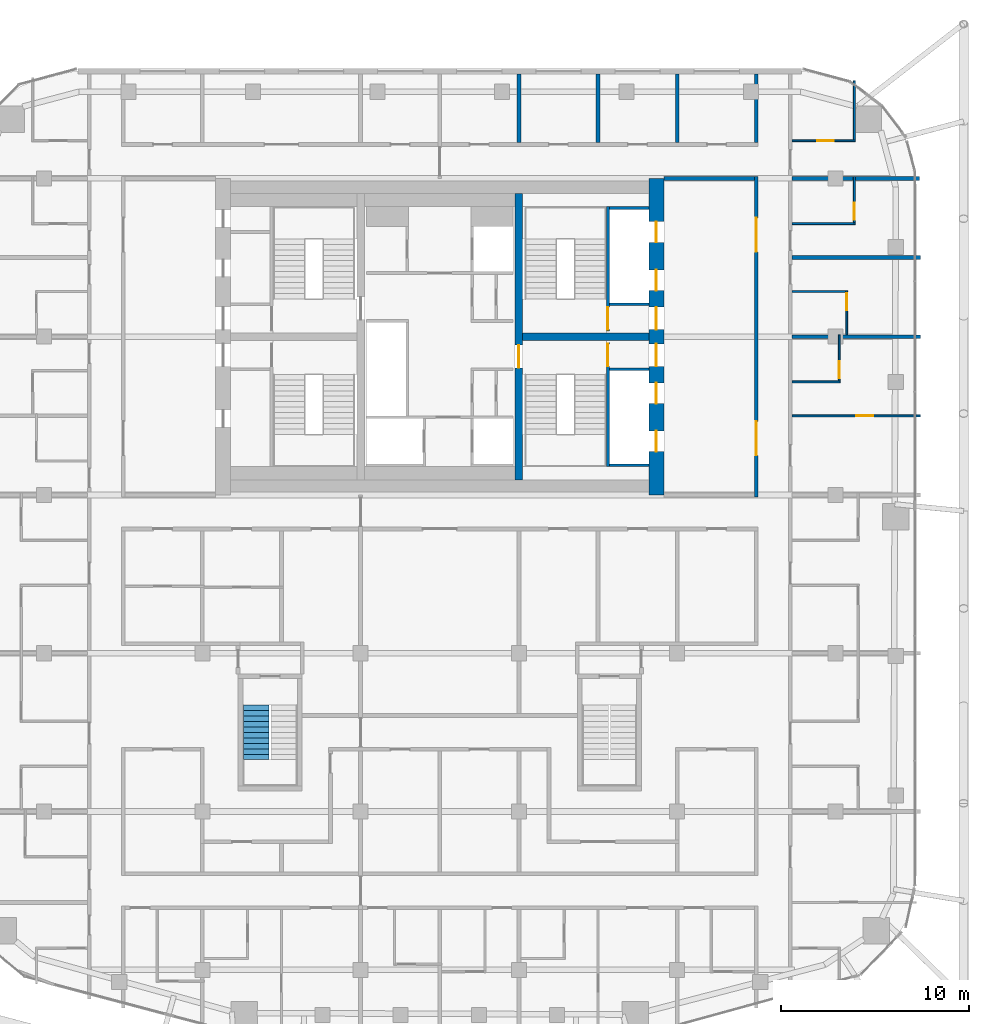
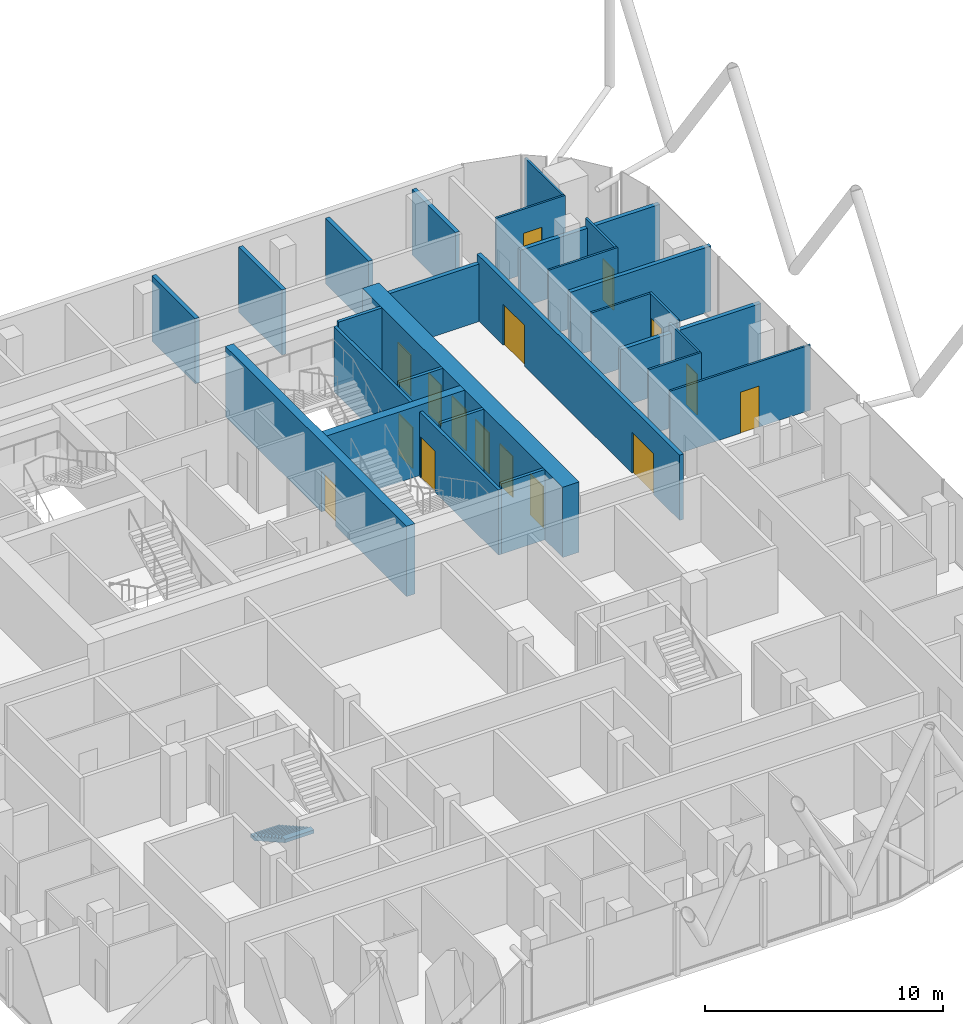
# One storey, part 29 of 31: 27 walls, 16 doors, 1 stair flight, 16 openings, 1 element without a shape of its own.
"""IFC4 building model written with IfcOpenShell, lengths in metres."""

from ifc_helpers import new_model, si_unit, direction, frame, frame_2d, origin, place, context, subcontext, project, spatial, polyline, rectangle, outline, extrude, material, layer, layer_set, type_object, element, fill, aggregate, save


model = new_model("IFC4")

# Units and contexts
model_context = context("Model", 3, precision=1e-05, world=origin(), true_north=direction((0.0, 1.0)))
body_context = subcontext(model_context, "Body", "Model", "MODEL_VIEW")
ifc_project = project(units=[si_unit("LENGTHUNIT", "METRE"), si_unit("AREAUNIT", "SQUARE_METRE"), si_unit("VOLUMEUNIT", "CUBIC_METRE"), si_unit("PLANEANGLEUNIT", "RADIAN"), si_unit("MASSUNIT", "GRAM", prefix="KILO")], contexts=[model_context])

# Site, building, storey
site_placement = place(None, origin())
site = spatial("IfcSite", under=ifc_project, at=site_placement, CompositionType="ELEMENT")
building_placement = place(site_placement, origin())
building = spatial("IfcBuilding", under=site, at=building_placement, Name="Marenta Gate Hotel Tower", CompositionType="ELEMENT")
storey_placement = place(building_placement, frame((0.0, 0.0, 234.5)))
storey = spatial("IfcBuildingStorey", under=building, at=storey_placement, Name="L55", CompositionType="ELEMENT", Elevation=234.5)

# Wall, openings, doors
ifc_material_1 = material(Name="Concrete blockwork", Category="masonry")
ifc_layer_1 = layer(ifc_material_1, 0.199951171875)
ifc_layer_set_1 = layer_set([ifc_layer_1], Name="Concrete blockwork")
wall_type_1 = type_object("IfcWallType", Name="Core boundary wall 200 REI 180", PredefinedType="PARTITIONING", material=ifc_layer_set_1)
wall_1_placement = place(storey_placement, frame((16.800048828125, -0.10009765625, 0.0), z_axis=(0.0, 0.0, 1.0), x_axis=(0.0, 1.0, 0.0)))
wall_1 = element("IfcWall", 1, at=wall_1_placement, inside=storey, type_object=wall_type_1, Name="L55-CP-BW-E", PredefinedType="PARTITIONING", context=body_context, shape_type="SweptSolid", body=[
    extrude(rectangle(XDim=17.0, YDim=0.199951171875, at=frame_2d((8.5, 0.0))), origin(), (0.0, 0.0, 1.0), 3.340087890625),
])
opening_1_placement = place(wall_1_placement, frame((2.199951171875, 0.0, 0.0)))
opening_1 = element("IfcOpeningElement", 2, at=opening_1_placement, cuts=wall_1, Name="Opening ED-Ea-B", PredefinedType="OPENING", context=body_context, shape_type="SweptSolid", body=[
    extrude(rectangle(XDim=1.800048828125, YDim=2.10009765625, at=frame_2d((0.89990234375, 1.050048828125))), frame((0.0, 0.10009765625, 0.0), z_axis=(0.0, -1.0, 0.0), x_axis=(1.0, 0.0, 0.0)), (0.0, 0.0, 1.0), 0.199951171875),
])
opening_2_placement = place(wall_1_placement, frame((13.0, 0.0, 0.0)))
opening_2 = element("IfcOpeningElement", 3, at=opening_2_placement, cuts=wall_1, Name="Opening ED-Eb-B", PredefinedType="OPENING", context=body_context, shape_type="SweptSolid", body=[
    extrude(rectangle(XDim=1.800048828125, YDim=2.10009765625, at=frame_2d((0.89990234375, 1.050048828125))), frame((0.0, 0.10009765625, 0.0), z_axis=(0.0, -1.0, 0.0), x_axis=(1.0, 0.0, 0.0)), (0.0, 0.0, 1.0), 0.199951171875),
])
ifc_material_2 = material(Name="Steel", Category="steel")
door_type_1 = type_object("IfcDoorType", Name="Core lobby entrance door 1800x2100 EI 60", OperationType="DOUBLE_DOOR_SINGLE_SWING", PredefinedType="DOOR", material=ifc_material_2)
door_1_placement = place(opening_1_placement, origin())
door_1 = element("IfcDoor", 4, at=door_1_placement, inside=storey, type_object=door_type_1, Name="ED-Ea-B", OperationType="DOUBLE_DOOR_SINGLE_SWING", OverallHeight=2.10009765625, OverallWidth=1.800048828125, PredefinedType="DOOR", context=body_context, shape_type="SweptSolid", body=[
    extrude(rectangle(XDim=1.800048828125, YDim=2.10009765625, at=frame_2d((0.89990234375, 1.050048828125))), frame((0.0, 0.02490234375, 0.0), z_axis=(0.0, -1.0, 0.0), x_axis=(1.0, 0.0, 0.0)), (0.0, 0.0, 1.0), 0.050048828125),
])
fill(opening_1, door_1)
door_2_placement = place(opening_2_placement, origin())
door_2 = element("IfcDoor", 5, at=door_2_placement, inside=storey, type_object=door_type_1, Name="ED-Eb-B", OperationType="DOUBLE_DOOR_SINGLE_SWING", OverallHeight=2.10009765625, OverallWidth=1.800048828125, PredefinedType="DOOR", context=body_context, shape_type="SweptSolid", body=[
    extrude(rectangle(XDim=1.800048828125, YDim=2.10009765625, at=frame_2d((0.89990234375, 1.050048828125))), frame((0.0, 0.02490234375, 0.0), z_axis=(0.0, -1.0, 0.0), x_axis=(1.0, 0.0, 0.0)), (0.0, 0.0, 1.0), 0.050048828125),
])
fill(opening_2, door_2)

# Walls
wall_2_placement = place(storey_placement, frame((11.89990234375, 16.800048828125, 0.0), z_axis=(0.0, 0.0, 1.0), x_axis=(1.0, 0.0, 0.0)))
element("IfcWall", 6, at=wall_2_placement, inside=storey, type_object=wall_type_1, Name="L55-CP-EW-EN", PredefinedType="PARTITIONING", context=body_context, shape_type="SweptSolid", body=[
    extrude(rectangle(XDim=4.800048828125, YDim=0.199951171875, at=frame_2d((2.39990234375, 0.0))), origin(), (0.0, 0.0, 1.0), 2.93994140625),
])
ifc_material_3 = material(Name="Concrete C40", Category="concrete")
ifc_layer_2 = layer(ifc_material_3, 0.14990234375)
ifc_layer_set_2 = layer_set([ifc_layer_2], Name="Concrete C40")
wall_type_2 = type_object("IfcWallType", Name="Core shaft wall 150 REI 180", PredefinedType="SHEAR", material=ifc_layer_set_2)
for number, where, z_axis, x_axis, name in (
    (7, (9.0, 6.675048828125, 0.0), (0.0, 0.0, 1.0), (1.0, 0.0, 0.0), "L55-SHF-SW-ES-2"),
    (8, (9.0, 1.574951171875, 0.0), (0.0, 0.0, 1.0), (1.0, 0.0, 0.0), "L55-SHF-SW-ES-5"),
    (9, (9.0, 10.125, 0.0), (0.0, 0.0, 1.0), (1.0, 0.0, 0.0), "L55-SHF-SW-EN-2"),
    (10, (9.0, 15.22509765625, 0.0), (0.0, 0.0, 1.0), (1.0, 0.0, 0.0), "L55-SHF-SW-EN-5"),
):
    element("IfcWall", number, at=place(storey_placement, frame(where, z_axis=z_axis, x_axis=x_axis)), inside=storey, type_object=wall_type_2, Name=name, PredefinedType="SHEAR", context=body_context, shape_type="SweptSolid", body=[
        extrude(rectangle(XDim=2.10009765625, YDim=0.14990234375, at=frame_2d((1.050048828125, 0.0))), origin(), (0.0, 0.0, 1.0), 3.60009765625),
    ])

# Wall, opening, door
ifc_material_4 = material(Name="Concrete C40", Category="concrete")
ifc_layer_3 = layer(ifc_material_4, 0.14990234375)
ifc_layer_set_3 = layer_set([ifc_layer_3], Name="Concrete C40")
wall_type_3 = type_object("IfcWallType", Name="Core stair enclosure wall 150 REI 180", PredefinedType="SHEAR", material=ifc_layer_set_3)
wall_3_placement = place(storey_placement, frame((8.925048828125, 1.5, 0.0), z_axis=(0.0, 0.0, 1.0), x_axis=(0.0, 1.0, 0.0)))
wall_3 = element("IfcWall", 11, at=wall_3_placement, inside=storey, type_object=wall_type_3, Name="L55-SHF-SW-ES-3", PredefinedType="SHEAR", context=body_context, shape_type="SweptSolid", body=[
    extrude(rectangle(XDim=6.60009765625, YDim=0.14990234375, at=frame_2d((3.300048828125, 0.0))), origin(), (0.0, 0.0, 1.0), 3.340087890625),
])
opening_3_placement = place(wall_3_placement, frame((5.324951171875, 0.0, 0.0)))
opening_3 = element("IfcOpeningElement", 12, at=opening_3_placement, cuts=wall_3, Name="Opening SD-ES", PredefinedType="OPENING", context=body_context, shape_type="SweptSolid", body=[
    extrude(rectangle(XDim=1.199951171875, YDim=2.10009765625, at=frame_2d((0.60009765625, 1.050048828125))), frame((0.0, 0.074951171875, 0.0), z_axis=(0.0, -1.0, 0.0), x_axis=(1.0, 0.0, 0.0)), (0.0, 0.0, 1.0), 0.14990234375),
])
ifc_material_5 = material(Name="Steel", Category="steel")
door_type_2 = type_object("IfcDoorType", Name="Core stair door 1200x2100 FD60", OperationType="SINGLE_SWING_LEFT", PredefinedType="DOOR", material=ifc_material_5)
door_3_placement = place(opening_3_placement, origin())
door_3 = element("IfcDoor", 13, at=door_3_placement, inside=storey, type_object=door_type_2, Name="SD-ES", OperationType="SINGLE_SWING_LEFT", OverallHeight=2.10009765625, OverallWidth=1.199951171875, PredefinedType="DOOR", context=body_context, shape_type="SweptSolid", body=[
    extrude(rectangle(XDim=1.199951171875, YDim=2.10009765625, at=frame_2d((0.60009765625, 1.050048828125))), frame((0.0, 0.02490234375, 0.0), z_axis=(0.0, -1.0, 0.0), x_axis=(1.0, 0.0, 0.0)), (0.0, 0.0, 1.0), 0.050048828125),
])
fill(opening_3, door_3)

wall_4_placement = place(storey_placement, frame((8.925048828125, 8.699951171875, 0.0), z_axis=(0.0, 0.0, 1.0), x_axis=(0.0, 1.0, 0.0)))
wall_4 = element("IfcWall", 14, at=wall_4_placement, inside=storey, type_object=wall_type_3, Name="L55-SHF-SW-EN-3", PredefinedType="SHEAR", context=body_context, shape_type="SweptSolid", body=[
    extrude(rectangle(XDim=6.60009765625, YDim=0.14990234375, at=frame_2d((3.300048828125, 0.0))), origin(), (0.0, 0.0, 1.0), 3.340087890625),
])
opening_4_placement = place(wall_4_placement, frame((0.074951171875, 0.0, 0.0)))
opening_4 = element("IfcOpeningElement", 15, at=opening_4_placement, cuts=wall_4, Name="Opening SD-EN", PredefinedType="OPENING", context=body_context, shape_type="SweptSolid", body=[
    extrude(rectangle(XDim=1.199951171875, YDim=2.10009765625, at=frame_2d((0.60009765625, 1.050048828125))), frame((0.0, 0.074951171875, 0.0), z_axis=(0.0, -1.0, 0.0), x_axis=(1.0, 0.0, 0.0)), (0.0, 0.0, 1.0), 0.14990234375),
])
door_4_placement = place(opening_4_placement, origin())
door_4 = element("IfcDoor", 16, at=door_4_placement, inside=storey, type_object=door_type_2, Name="SD-EN", OperationType="SINGLE_SWING_LEFT", OverallHeight=2.10009765625, OverallWidth=1.199951171875, PredefinedType="DOOR", context=body_context, shape_type="SweptSolid", body=[
    extrude(rectangle(XDim=1.199951171875, YDim=2.10009765625, at=frame_2d((0.60009765625, 1.050048828125))), frame((0.0, 0.02490234375, 0.0), z_axis=(0.0, -1.0, 0.0), x_axis=(1.0, 0.0, 0.0)), (0.0, 0.0, 1.0), 0.050048828125),
])
fill(opening_4, door_4)

# Wall, openings, doors
ifc_material_6 = material(Name="Concrete C60", Category="concrete")
ifc_layer_4 = layer(ifc_material_6, 0.800048828125)
ifc_layer_set_4 = layer_set([ifc_layer_4], Name="Concrete C60")
wall_type_4 = type_object("IfcWallType", Name="Core wall 800 C60", PredefinedType="SHEAR", material=ifc_layer_set_4)
wall_5_placement = place(storey_placement, frame((11.5, 0.0, 0.0), z_axis=(0.0, 0.0, 1.0), x_axis=(0.0, 1.0, 0.0)))
wall_5 = element("IfcWall", 17, at=wall_5_placement, inside=storey, type_object=wall_type_4, Name="L55-CORE-E", PredefinedType="SHEAR", context=body_context, shape_type="SweptSolid", body=[
    extrude(rectangle(XDim=16.800048828125, YDim=0.800048828125, at=frame_2d((8.39990234375, 0.0))), origin(), (0.0, 0.0, 1.0), 3.60009765625),
])
opening_5_placement = place(wall_5_placement, frame((2.300048828125, 0.0, 0.0)))
opening_5 = element("IfcOpeningElement", 18, at=opening_5_placement, cuts=wall_5, Name="Opening LD-HR1", PredefinedType="OPENING", context=body_context, shape_type="SweptSolid", body=[
    extrude(rectangle(XDim=1.10009765625, YDim=2.10009765625, at=frame_2d((0.550048828125, 1.050048828125))), frame((0.0, 0.39990234375, 0.0), z_axis=(0.0, -1.0, 0.0), x_axis=(1.0, 0.0, 0.0)), (0.0, 0.0, 1.0), 0.800048828125),
])
opening_6_placement = place(wall_5_placement, frame((4.85009765625, 0.0, 0.0)))
opening_6 = element("IfcOpeningElement", 19, at=opening_6_placement, cuts=wall_5, Name="Opening LD-HR2", PredefinedType="OPENING", context=body_context, shape_type="SweptSolid", body=[
    extrude(rectangle(XDim=1.10009765625, YDim=2.10009765625, at=frame_2d((0.550048828125, 1.050048828125))), frame((0.0, 0.39990234375, 0.0), z_axis=(0.0, -1.0, 0.0), x_axis=(1.0, 0.0, 0.0)), (0.0, 0.0, 1.0), 0.800048828125),
])
opening_7_placement = place(wall_5_placement, frame((6.824951171875, 0.0, 0.0)))
opening_7 = element("IfcOpeningElement", 20, at=opening_7_placement, cuts=wall_5, Name="Opening PD-ES", PredefinedType="OPENING", context=body_context, shape_type="SweptSolid", body=[
    extrude(rectangle(XDim=1.199951171875, YDim=2.10009765625, at=frame_2d((0.60009765625, 1.050048828125))), frame((0.0, 0.39990234375, 0.0), z_axis=(0.0, -1.0, 0.0), x_axis=(1.0, 0.0, 0.0)), (0.0, 0.0, 1.0), 0.800048828125),
])
opening_8_placement = place(wall_5_placement, frame((13.39990234375, 0.0, 0.0)))
opening_8 = element("IfcOpeningElement", 21, at=opening_8_placement, cuts=wall_5, Name="Opening LD-HR4", PredefinedType="OPENING", context=body_context, shape_type="SweptSolid", body=[
    extrude(rectangle(XDim=1.10009765625, YDim=2.10009765625, at=frame_2d((0.550048828125, 1.050048828125))), frame((0.0, 0.39990234375, 0.0), z_axis=(0.0, -1.0, 0.0), x_axis=(1.0, 0.0, 0.0)), (0.0, 0.0, 1.0), 0.800048828125),
])
opening_9_placement = place(wall_5_placement, frame((10.85009765625, 0.0, 0.0)))
opening_9 = element("IfcOpeningElement", 22, at=opening_9_placement, cuts=wall_5, Name="Opening LD-HR3", PredefinedType="OPENING", context=body_context, shape_type="SweptSolid", body=[
    extrude(rectangle(XDim=1.10009765625, YDim=2.10009765625, at=frame_2d((0.550048828125, 1.050048828125))), frame((0.0, 0.39990234375, 0.0), z_axis=(0.0, -1.0, 0.0), x_axis=(1.0, 0.0, 0.0)), (0.0, 0.0, 1.0), 0.800048828125),
])
opening_10_placement = place(wall_5_placement, frame((8.77490234375, 0.0, 0.0)))
opening_10 = element("IfcOpeningElement", 23, at=opening_10_placement, cuts=wall_5, Name="Opening PD-EN", PredefinedType="OPENING", context=body_context, shape_type="SweptSolid", body=[
    extrude(rectangle(XDim=1.199951171875, YDim=2.10009765625, at=frame_2d((0.60009765625, 1.050048828125))), frame((0.0, 0.39990234375, 0.0), z_axis=(0.0, -1.0, 0.0), x_axis=(1.0, 0.0, 0.0)), (0.0, 0.0, 1.0), 0.800048828125),
])
ifc_material_7 = material(Name="Steel", Category="steel")
door_type_3 = type_object("IfcDoorType", Name="Core lift landing door 1100x2100 E 60", OperationType="SLIDING_TO_LEFT", PredefinedType="DOOR", material=ifc_material_7)
door_5_placement = place(opening_5_placement, origin())
door_5 = element("IfcDoor", 24, at=door_5_placement, inside=storey, type_object=door_type_3, Name="LD-HR1", OperationType="SLIDING_TO_LEFT", OverallHeight=2.10009765625, OverallWidth=1.10009765625, PredefinedType="DOOR", context=body_context, shape_type="SweptSolid", body=[
    extrude(rectangle(XDim=1.10009765625, YDim=2.10009765625, at=frame_2d((0.550048828125, 1.050048828125))), frame((0.0, 0.02490234375, 0.0), z_axis=(0.0, -1.0, 0.0), x_axis=(1.0, 0.0, 0.0)), (0.0, 0.0, 1.0), 0.050048828125),
])
fill(opening_5, door_5)
door_6_placement = place(opening_6_placement, origin())
door_6 = element("IfcDoor", 25, at=door_6_placement, inside=storey, type_object=door_type_3, Name="LD-HR2", OperationType="SLIDING_TO_LEFT", OverallHeight=2.10009765625, OverallWidth=1.10009765625, PredefinedType="DOOR", context=body_context, shape_type="SweptSolid", body=[
    extrude(rectangle(XDim=1.10009765625, YDim=2.10009765625, at=frame_2d((0.550048828125, 1.050048828125))), frame((0.0, 0.02490234375, 0.0), z_axis=(0.0, -1.0, 0.0), x_axis=(1.0, 0.0, 0.0)), (0.0, 0.0, 1.0), 0.050048828125),
])
fill(opening_6, door_6)
door_7_placement = place(opening_8_placement, origin())
door_7 = element("IfcDoor", 26, at=door_7_placement, inside=storey, type_object=door_type_3, Name="LD-HR4", OperationType="SLIDING_TO_LEFT", OverallHeight=2.10009765625, OverallWidth=1.10009765625, PredefinedType="DOOR", context=body_context, shape_type="SweptSolid", body=[
    extrude(rectangle(XDim=1.10009765625, YDim=2.10009765625, at=frame_2d((0.550048828125, 1.050048828125))), frame((0.0, 0.02490234375, 0.0), z_axis=(0.0, -1.0, 0.0), x_axis=(1.0, 0.0, 0.0)), (0.0, 0.0, 1.0), 0.050048828125),
])
fill(opening_8, door_7)
door_8_placement = place(opening_9_placement, origin())
door_8 = element("IfcDoor", 27, at=door_8_placement, inside=storey, type_object=door_type_3, Name="LD-HR3", OperationType="SLIDING_TO_LEFT", OverallHeight=2.10009765625, OverallWidth=1.10009765625, PredefinedType="DOOR", context=body_context, shape_type="SweptSolid", body=[
    extrude(rectangle(XDim=1.10009765625, YDim=2.10009765625, at=frame_2d((0.550048828125, 1.050048828125))), frame((0.0, 0.02490234375, 0.0), z_axis=(0.0, -1.0, 0.0), x_axis=(1.0, 0.0, 0.0)), (0.0, 0.0, 1.0), 0.050048828125),
])
fill(opening_9, door_8)
ifc_material_8 = material(Name="Steel", Category="steel")
door_type_4 = type_object("IfcDoorType", Name="Core lobby door 1200x2100 FD60", OperationType="SINGLE_SWING_LEFT", PredefinedType="DOOR", material=ifc_material_8)
door_9_placement = place(opening_7_placement, origin())
door_9 = element("IfcDoor", 28, at=door_9_placement, inside=storey, type_object=door_type_4, Name="PD-ES", OperationType="SINGLE_SWING_LEFT", OverallHeight=2.10009765625, OverallWidth=1.199951171875, PredefinedType="DOOR", context=body_context, shape_type="SweptSolid", body=[
    extrude(rectangle(XDim=1.199951171875, YDim=2.10009765625, at=frame_2d((0.60009765625, 1.050048828125))), frame((0.0, 0.02490234375, 0.0), z_axis=(0.0, -1.0, 0.0), x_axis=(1.0, 0.0, 0.0)), (0.0, 0.0, 1.0), 0.050048828125),
])
fill(opening_7, door_9)
door_10_placement = place(opening_10_placement, origin())
door_10 = element("IfcDoor", 29, at=door_10_placement, inside=storey, type_object=door_type_4, Name="PD-EN", OperationType="SINGLE_SWING_LEFT", OverallHeight=2.10009765625, OverallWidth=1.199951171875, PredefinedType="DOOR", context=body_context, shape_type="SweptSolid", body=[
    extrude(rectangle(XDim=1.199951171875, YDim=2.10009765625, at=frame_2d((0.60009765625, 1.050048828125))), frame((0.0, 0.02490234375, 0.0), z_axis=(0.0, -1.0, 0.0), x_axis=(1.0, 0.0, 0.0)), (0.0, 0.0, 1.0), 0.050048828125),
])
fill(opening_10, door_10)

# Wall, opening, door
ifc_material_9 = material(Name="Concrete C60", Category="concrete")
ifc_layer_5 = layer(ifc_material_9, 0.39990234375)
ifc_layer_set_5 = layer_set([ifc_layer_5], Name="Concrete C60")
wall_type_5 = type_object("IfcWallType", Name="Core web 400 C60", PredefinedType="SHEAR", material=ifc_layer_set_5)
wall_6_placement = place(storey_placement, frame((4.199951171875, 0.800048828125, 0.0), z_axis=(0.0, 0.0, 1.0), x_axis=(0.0, 1.0, 0.0)))
wall_6 = element("IfcWall", 30, at=wall_6_placement, inside=storey, type_object=wall_type_5, Name="L55-CORE-W2", PredefinedType="SHEAR", context=body_context, shape_type="SweptSolid", body=[
    extrude(rectangle(XDim=15.199951171875, YDim=0.39990234375, at=frame_2d((7.60009765625, 0.0))), origin(), (0.0, 0.0, 1.0), 3.60009765625),
])
opening_11_placement = place(wall_6_placement, frame((5.949951171875, 0.0, 0.0)))
opening_11 = element("IfcOpeningElement", 31, at=opening_11_placement, cuts=wall_6, Name="Opening WD-E", PredefinedType="OPENING", context=body_context, shape_type="SweptSolid", body=[
    extrude(rectangle(XDim=1.199951171875, YDim=2.10009765625, at=frame_2d((0.60009765625, 1.050048828125))), frame((0.0, 0.199951171875, 0.0), z_axis=(0.0, -1.0, 0.0), x_axis=(1.0, 0.0, 0.0)), (0.0, 0.0, 1.0), 0.39990234375),
])
door_11_placement = place(opening_11_placement, origin())
door_11 = element("IfcDoor", 32, at=door_11_placement, inside=storey, type_object=door_type_2, Name="WD-E", OperationType="SINGLE_SWING_LEFT", OverallHeight=2.10009765625, OverallWidth=1.199951171875, PredefinedType="DOOR", context=body_context, shape_type="SweptSolid", body=[
    extrude(rectangle(XDim=1.199951171875, YDim=2.10009765625, at=frame_2d((0.60009765625, 1.050048828125))), frame((0.0, 0.02490234375, 0.0), z_axis=(0.0, -1.0, 0.0), x_axis=(1.0, 0.0, 0.0)), (0.0, 0.0, 1.0), 0.050048828125),
])
fill(opening_11, door_11)

# Walls
wall_7_placement = place(storey_placement, frame((4.39990234375, 8.39990234375, 0.0), z_axis=(0.0, 0.0, 1.0), x_axis=(1.0, 0.0, 0.0)))
element("IfcWall", 33, at=wall_7_placement, inside=storey, type_object=wall_type_5, Name="L55-CORE-W4", PredefinedType="SHEAR", context=body_context, shape_type="SweptSolid", body=[
    extrude(rectangle(XDim=6.7001953125, YDim=0.39990234375, at=frame_2d((3.35009765625, 0.0))), origin(), (0.0, 0.0, 1.0), 3.60009765625),
])
ifc_material_10 = material(Name="Gypsum board on steel stud", Category="steel")
ifc_layer_6 = layer(ifc_material_10, 0.199951171875)
ifc_layer_set_6 = layer_set([ifc_layer_6], Name="Gypsum board on steel stud")
wall_type_6 = type_object("IfcWallType", Name="Room corridor wall 200 EI 60", PredefinedType="PARTITIONING", material=ifc_layer_set_6)
wall_8_placement = place(storey_placement, frame((16.800048828125, 18.699951171875, 0.0), z_axis=(0.0, 0.0, 1.0), x_axis=(0.0, 1.0, 0.0)))
element("IfcWall", 34, at=wall_8_placement, inside=storey, type_object=wall_type_6, Name="L55-PTN-W029", PredefinedType="PARTITIONING", context=body_context, shape_type="SweptSolid", body=[
    extrude(rectangle(XDim=3.64013671875, YDim=0.199951171875, at=frame_2d((1.820068359375, 0.0))), origin(), (0.0, 0.0, 1.0), 3.340087890625),
])

# Wall, opening, door
ifc_material_11 = material(Name="Gypsum board on steel stud", Category="steel")
ifc_layer_7 = layer(ifc_material_11, 0.10009765625)
ifc_layer_set_7 = layer_set([ifc_layer_7], Name="Gypsum board on steel stud")
wall_type_7 = type_object("IfcWallType", Name="Room partition 100", PredefinedType="PARTITIONING", material=ifc_layer_set_7)
wall_9_placement = place(storey_placement, frame((22.0, 14.449951171875, 0.0), z_axis=(0.0, 0.0, 1.0), x_axis=(0.0, 1.0, 0.0)))
wall_9 = element("IfcWall", 35, at=wall_9_placement, inside=storey, type_object=wall_type_7, Name="L55-PTN-W013", PredefinedType="PARTITIONING", context=body_context, shape_type="SweptSolid", body=[
    extrude(rectangle(XDim=2.449951171875, YDim=0.10009765625, at=frame_2d((1.22509765625, 0.0))), origin(), (0.0, 0.0, 1.0), 3.340087890625),
])
opening_12_placement = place(wall_9_placement, frame((0.14990234375, 0.0, 0.0)))
opening_12 = element("IfcOpeningElement", 36, at=opening_12_placement, cuts=wall_9, Name="Opening G20-32", PredefinedType="OPENING", context=body_context, shape_type="SweptSolid", body=[
    extrude(rectangle(XDim=0.89990234375, YDim=2.10009765625, at=frame_2d((0.449951171875, 1.050048828125))), frame((0.0, 0.050048828125, 0.0), z_axis=(0.0, -1.0, 0.0), x_axis=(1.0, 0.0, 0.0)), (0.0, 0.0, 1.0), 0.10009765625),
])
ifc_material_12 = material(Name="Timber door leaf", Category="wood")
door_type_5 = type_object("IfcDoorType", Name="Guest bathroom door 900x2100", OperationType="NOTDEFINED", PredefinedType="DOOR", material=ifc_material_12)
door_12_placement = place(opening_12_placement, origin())
door_12 = element("IfcDoor", 37, at=door_12_placement, inside=storey, type_object=door_type_5, Name="L55-PD-D032", OperationType="SINGLE_SWING_LEFT", OverallHeight=2.10009765625, OverallWidth=0.89990234375, PredefinedType="DOOR", context=body_context, shape_type="SweptSolid", body=[
    extrude(rectangle(XDim=0.89990234375, YDim=2.10009765625, at=frame_2d((0.449951171875, 1.050048828125))), frame((0.0, 0.02490234375, 0.0), z_axis=(0.0, -1.0, 0.0), x_axis=(1.0, 0.0, 0.0)), (0.0, 0.0, 1.0), 0.050048828125),
])
fill(opening_12, door_12)

# Wall
wall_10_placement = place(storey_placement, frame((22.0, 18.85009765625, 0.0), z_axis=(0.0, 0.0, 1.0), x_axis=(0.0, 1.0, 0.0)))
element("IfcWall", 38, at=wall_10_placement, inside=storey, type_object=wall_type_7, Name="L55-PTN-W014", PredefinedType="PARTITIONING", context=body_context, shape_type="SweptSolid", body=[
    extrude(rectangle(XDim=3.12890625, YDim=0.10009765625, at=frame_2d((1.564453125, 0.0))), origin(), (0.0, 0.0, 1.0), 3.340087890625),
])

# Wall, opening, door
wall_11_placement = place(storey_placement, frame((21.60009765625, 8.5, 0.0), z_axis=(0.0, 0.0, 1.0), x_axis=(0.0, 1.0, 0.0)))
wall_11 = element("IfcWall", 39, at=wall_11_placement, inside=storey, type_object=wall_type_7, Name="L55-PTN-W018", PredefinedType="PARTITIONING", context=body_context, shape_type="SweptSolid", body=[
    extrude(rectangle(XDim=2.35009765625, YDim=0.10009765625, at=frame_2d((1.175048828125, 0.0))), origin(), (0.0, 0.0, 1.0), 3.340087890625),
])
opening_13_placement = place(wall_11_placement, frame((1.300048828125, 0.0, 0.0)))
opening_13 = element("IfcOpeningElement", 40, at=opening_13_placement, cuts=wall_11, Name="Opening G20-30", PredefinedType="OPENING", context=body_context, shape_type="SweptSolid", body=[
    extrude(rectangle(XDim=0.89990234375, YDim=2.10009765625, at=frame_2d((0.449951171875, 1.050048828125))), frame((0.0, 0.050048828125, 0.0), z_axis=(0.0, -1.0, 0.0), x_axis=(1.0, 0.0, 0.0)), (0.0, 0.0, 1.0), 0.10009765625),
])
door_13_placement = place(opening_13_placement, origin())
door_13 = element("IfcDoor", 41, at=door_13_placement, inside=storey, type_object=door_type_5, Name="L55-PD-D030", OperationType="SINGLE_SWING_RIGHT", OverallHeight=2.10009765625, OverallWidth=0.89990234375, PredefinedType="DOOR", context=body_context, shape_type="SweptSolid", body=[
    extrude(rectangle(XDim=0.89990234375, YDim=2.10009765625, at=frame_2d((0.449951171875, 1.050048828125))), frame((0.0, 0.02490234375, 0.0), z_axis=(0.0, -1.0, 0.0), x_axis=(1.0, 0.0, 0.0)), (0.0, 0.0, 1.0), 0.050048828125),
])
fill(opening_13, door_13)

wall_12_placement = place(storey_placement, frame((21.199951171875, 6.050048828125, 0.0), z_axis=(0.0, 0.0, 1.0), x_axis=(0.0, 1.0, 0.0)))
wall_12 = element("IfcWall", 42, at=wall_12_placement, inside=storey, type_object=wall_type_7, Name="L55-PTN-W020", PredefinedType="PARTITIONING", context=body_context, shape_type="SweptSolid", body=[
    extrude(rectangle(XDim=2.449951171875, YDim=0.10009765625, at=frame_2d((1.22509765625, 0.0))), origin(), (0.0, 0.0, 1.0), 3.340087890625),
])
opening_14_placement = place(wall_12_placement, frame((0.14990234375, 0.0, 0.0)))
opening_14 = element("IfcOpeningElement", 43, at=opening_14_placement, cuts=wall_12, Name="Opening G20-28", PredefinedType="OPENING", context=body_context, shape_type="SweptSolid", body=[
    extrude(rectangle(XDim=0.89990234375, YDim=2.10009765625, at=frame_2d((0.449951171875, 1.050048828125))), frame((0.0, 0.050048828125, 0.0), z_axis=(0.0, -1.0, 0.0), x_axis=(1.0, 0.0, 0.0)), (0.0, 0.0, 1.0), 0.10009765625),
])
door_14_placement = place(opening_14_placement, origin())
door_14 = element("IfcDoor", 44, at=door_14_placement, inside=storey, type_object=door_type_5, Name="L55-PD-D028", OperationType="SINGLE_SWING_LEFT", OverallHeight=2.10009765625, OverallWidth=0.89990234375, PredefinedType="DOOR", context=body_context, shape_type="SweptSolid", body=[
    extrude(rectangle(XDim=0.89990234375, YDim=2.10009765625, at=frame_2d((0.449951171875, 1.050048828125))), frame((0.0, 0.02490234375, 0.0), z_axis=(0.0, -1.0, 0.0), x_axis=(1.0, 0.0, 0.0)), (0.0, 0.0, 1.0), 0.050048828125),
])
fill(opening_14, door_14)

wall_13_placement = place(storey_placement, frame((18.699951171875, 4.199951171875, 0.0), z_axis=(0.0, 0.0, 1.0), x_axis=(1.0, 0.0, 0.0)))
wall_13 = element("IfcWall", 45, at=wall_13_placement, inside=storey, type_object=wall_type_7, Name="L55-PTN-W083", PredefinedType="PARTITIONING", context=body_context, shape_type="SweptSolid", body=[
    extrude(rectangle(XDim=6.800048828125, YDim=0.10009765625, at=frame_2d((3.39990234375, 0.0))), origin(), (0.0, 0.0, 1.0), 3.340087890625),
])
opening_15_placement = place(wall_13_placement, frame((3.409912109375, 0.0, 0.0)))
opening_15 = element("IfcOpeningElement", 46, at=opening_15_placement, cuts=wall_13, Name="Opening G20-27", PredefinedType="OPENING", context=body_context, shape_type="SweptSolid", body=[
    extrude(rectangle(XDim=0.89990234375, YDim=2.10009765625, at=frame_2d((0.449951171875, 1.050048828125))), frame((0.0, 0.050048828125, 0.0), z_axis=(0.0, -1.0, 0.0), x_axis=(1.0, 0.0, 0.0)), (0.0, 0.0, 1.0), 0.10009765625),
])
ifc_material_13 = material(Name="Timber door leaf", Category="wood")
door_type_6 = type_object("IfcDoorType", Name="Room inner door 900x2100", OperationType="NOTDEFINED", PredefinedType="DOOR", material=ifc_material_13)
door_15_placement = place(opening_15_placement, origin())
door_15 = element("IfcDoor", 47, at=door_15_placement, inside=storey, type_object=door_type_6, Name="L55-PD-D027", OperationType="SINGLE_SWING_RIGHT", OverallHeight=2.10009765625, OverallWidth=0.89990234375, PredefinedType="DOOR", context=body_context, shape_type="SweptSolid", body=[
    extrude(rectangle(XDim=0.89990234375, YDim=2.10009765625, at=frame_2d((0.449951171875, 1.050048828125))), frame((0.0, 0.02490234375, 0.0), z_axis=(0.0, -1.0, 0.0), x_axis=(1.0, 0.0, 0.0)), (0.0, 0.0, 1.0), 0.050048828125),
])
fill(opening_15, door_15)

# Walls
wall_14_placement = place(storey_placement, frame((18.699951171875, 6.0, 0.0), z_axis=(0.0, 0.0, 1.0), x_axis=(1.0, 0.0, 0.0)))
element("IfcWall", 48, at=wall_14_placement, inside=storey, type_object=wall_type_7, Name="L55-PTN-W085", PredefinedType="PARTITIONING", context=body_context, shape_type="SweptSolid", body=[
    extrude(rectangle(XDim=2.550048828125, YDim=0.10009765625, at=frame_2d((1.27490234375, 0.0))), origin(), (0.0, 0.0, 1.0), 3.340087890625),
])
wall_15_placement = place(storey_placement, frame((18.699951171875, 10.800048828125, 0.0), z_axis=(0.0, 0.0, 1.0), x_axis=(1.0, 0.0, 0.0)))
element("IfcWall", 49, at=wall_15_placement, inside=storey, type_object=wall_type_7, Name="L55-PTN-W096", PredefinedType="PARTITIONING", context=body_context, shape_type="SweptSolid", body=[
    extrude(rectangle(XDim=2.85009765625, YDim=0.10009765625, at=frame_2d((1.425048828125, 0.0))), origin(), (0.0, 0.0, 1.0), 3.340087890625),
])
wall_16_placement = place(storey_placement, frame((18.699951171875, 14.39990234375, 0.0), z_axis=(0.0, 0.0, 1.0), x_axis=(1.0, 0.0, 0.0)))
element("IfcWall", 50, at=wall_16_placement, inside=storey, type_object=wall_type_7, Name="L55-PTN-W105", PredefinedType="PARTITIONING", context=body_context, shape_type="SweptSolid", body=[
    extrude(rectangle(XDim=3.35009765625, YDim=0.10009765625, at=frame_2d((1.675048828125, 0.0))), origin(), (0.0, 0.0, 1.0), 3.340087890625),
])

# Wall, opening, door
wall_17_placement = place(storey_placement, frame((18.699951171875, 18.800048828125, 0.0), z_axis=(0.0, 0.0, 1.0), x_axis=(1.0, 0.0, 0.0)))
wall_17 = element("IfcWall", 51, at=wall_17_placement, inside=storey, type_object=wall_type_7, Name="L55-PTN-W116", PredefinedType="PARTITIONING", context=body_context, shape_type="SweptSolid", body=[
    extrude(rectangle(XDim=3.35009765625, YDim=0.10009765625, at=frame_2d((1.675048828125, 0.0))), origin(), (0.0, 0.0, 1.0), 3.340087890625),
])
opening_16_placement = place(wall_17_placement, frame((1.320068359375, 0.0, 0.0)))
opening_16 = element("IfcOpeningElement", 52, at=opening_16_placement, cuts=wall_17, Name="Opening G20-34", PredefinedType="OPENING", context=body_context, shape_type="SweptSolid", body=[
    extrude(rectangle(XDim=0.89990234375, YDim=2.10009765625, at=frame_2d((0.449951171875, 1.050048828125))), frame((0.0, 0.050048828125, 0.0), z_axis=(0.0, -1.0, 0.0), x_axis=(1.0, 0.0, 0.0)), (0.0, 0.0, 1.0), 0.10009765625),
])
door_16_placement = place(opening_16_placement, origin())
door_16 = element("IfcDoor", 53, at=door_16_placement, inside=storey, type_object=door_type_5, Name="L55-PD-D034", OperationType="SINGLE_SWING_RIGHT", OverallHeight=2.10009765625, OverallWidth=0.89990234375, PredefinedType="DOOR", context=body_context, shape_type="SweptSolid", body=[
    extrude(rectangle(XDim=0.89990234375, YDim=2.10009765625, at=frame_2d((0.449951171875, 1.050048828125))), frame((0.0, 0.02490234375, 0.0), z_axis=(0.0, -1.0, 0.0), x_axis=(1.0, 0.0, 0.0)), (0.0, 0.0, 1.0), 0.050048828125),
])
fill(opening_16, door_16)

# Walls
ifc_material_14 = material(Name="Gypsum board on steel stud", Category="steel")
ifc_layer_8 = layer(ifc_material_14, 0.199951171875)
ifc_layer_set_8 = layer_set([ifc_layer_8], Name="Gypsum board on steel stud")
wall_type_8 = type_object("IfcWallType", Name="Room party wall 200 EI 60", PredefinedType="PARTITIONING", material=ifc_layer_set_8)
for number, where, z_axis, x_axis, name in (
    (54, (12.60009765625, 18.699951171875, 0.0), (0.0, 0.0, 1.0), (0.0, 1.0, 0.0), "L55-PTN-W041"),
    (55, (8.39990234375, 18.699951171875, 0.0), (0.0, 0.0, 1.0), (0.0, 1.0, 0.0), "L55-PTN-W049"),
    (56, (4.199951171875, 18.699951171875, 0.0), (0.0, 0.0, 1.0), (0.0, 1.0, 0.0), "L55-PTN-W066"),
):
    element("IfcWall", number, at=place(storey_placement, frame(where, z_axis=z_axis, x_axis=x_axis)), inside=storey, type_object=wall_type_8, Name=name, PredefinedType="PARTITIONING", context=body_context, shape_type="SweptSolid", body=[
        extrude(rectangle(XDim=3.64013671875, YDim=0.199951171875, at=frame_2d((1.820068359375, 0.0))), origin(), (0.0, 0.0, 1.0), 3.340087890625),
    ])
wall_18_placement = place(storey_placement, frame((18.699951171875, 8.39990234375, 0.0), z_axis=(0.0, 0.0, 1.0), x_axis=(1.0, 0.0, 0.0)))
element("IfcWall", 57, at=wall_18_placement, inside=storey, type_object=wall_type_8, Name="L55-PTN-W092", PredefinedType="PARTITIONING", context=body_context, shape_type="SweptSolid", body=[
    extrude(rectangle(XDim=6.800048828125, YDim=0.199951171875, at=frame_2d((3.39990234375, 0.0))), origin(), (0.0, 0.0, 1.0), 2.93994140625),
])
wall_19_placement = place(storey_placement, frame((18.699951171875, 12.60009765625, 0.0), z_axis=(0.0, 0.0, 1.0), x_axis=(1.0, 0.0, 0.0)))
element("IfcWall", 58, at=wall_19_placement, inside=storey, type_object=wall_type_8, Name="L55-PTN-W103", PredefinedType="PARTITIONING", context=body_context, shape_type="SweptSolid", body=[
    extrude(rectangle(XDim=6.800048828125, YDim=0.199951171875, at=frame_2d((3.39990234375, 0.0))), origin(), (0.0, 0.0, 1.0), 3.340087890625),
])
wall_20_placement = place(storey_placement, frame((18.699951171875, 16.800048828125, 0.0), z_axis=(0.0, 0.0, 1.0), x_axis=(1.0, 0.0, 0.0)))
element("IfcWall", 59, at=wall_20_placement, inside=storey, type_object=wall_type_8, Name="L55-PTN-W112", PredefinedType="PARTITIONING", context=body_context, shape_type="SweptSolid", body=[
    extrude(rectangle(XDim=6.7470703125, YDim=0.199951171875, at=frame_2d((3.37353515625, 0.0))), origin(), (0.0, 0.0, 1.0), 2.93994140625),
])

# Stair, stair flight
ifc_material_15 = material(Name="Concrete C40", Category="concrete")
stair_type = type_object("IfcStairType", Name="Remote exit stair 1400 wide", PredefinedType="HALF_TURN_STAIR", material=ifc_material_15)
stair_placement = place(storey_placement, origin())
stair = element("IfcStair", 60, at=stair_placement, inside=storey, type_object=stair_type, Name="Exit stair RS-Z3-1", PredefinedType="HALF_TURN_STAIR")
ifc_material_16 = material(Name="Concrete C40", Category="concrete")
stair_flight_type = type_object("IfcStairFlightType", Name="Remote stair flight 1400 riser 163.6 going 290", PredefinedType="STRAIGHT", material=ifc_material_16)
stair_flight_placement = place(storey_placement, frame((-9.75, -11.14990234375, 0.0), z_axis=(0.0, 0.0, 1.0), x_axis=(0.0, -1.0, 0.0)))
stair_flight = element("IfcStairFlight", 61, at=stair_flight_placement, type_object=stair_flight_type, Name="RS-Z3-1 flight 1", NumberOfRisers=11, NumberOfTreads=10, PredefinedType="STRAIGHT", RiserHeight=0.163636, TreadLength=0.29, context=body_context, shape_type="SweptSolid", body=[
    extrude(outline(polyline([(0.0, 0.0), (0.0, 0.16357421875), (0.2900390625, 0.16357421875), (0.2900390625, 0.327392578125), (0.580078125, 0.327392578125), (0.580078125, 0.490966796875), (0.8701171875, 0.490966796875), (0.8701171875, 0.654541015625), (1.159912109375, 0.654541015625), (1.159912109375, 0.818115234375), (1.449951171875, 0.818115234375), (1.449951171875, 0.98193359375), (1.739990234375, 0.98193359375), (1.739990234375, 1.1455078125), (2.030029296875, 1.1455078125), (2.030029296875, 1.30908203125), (2.320068359375, 1.30908203125), (2.320068359375, 1.47265625), (2.610107421875, 1.47265625), (2.610107421875, 1.636474609375), (2.89990234375, 1.636474609375), (2.89990234375, 1.800048828125), (2.89990234375, 1.46435546875), (0.304931640625, 0.0), (0.0, 0.0)])), frame((0.0, 0.699951171875, 0.0), z_axis=(0.0, -1.0, 0.0), x_axis=(1.0, 0.0, 0.0)), (0.0, 0.0, 1.0), 1.39990234375),
])
aggregate(stair, [stair_flight])

save(model, "model.ifc")
